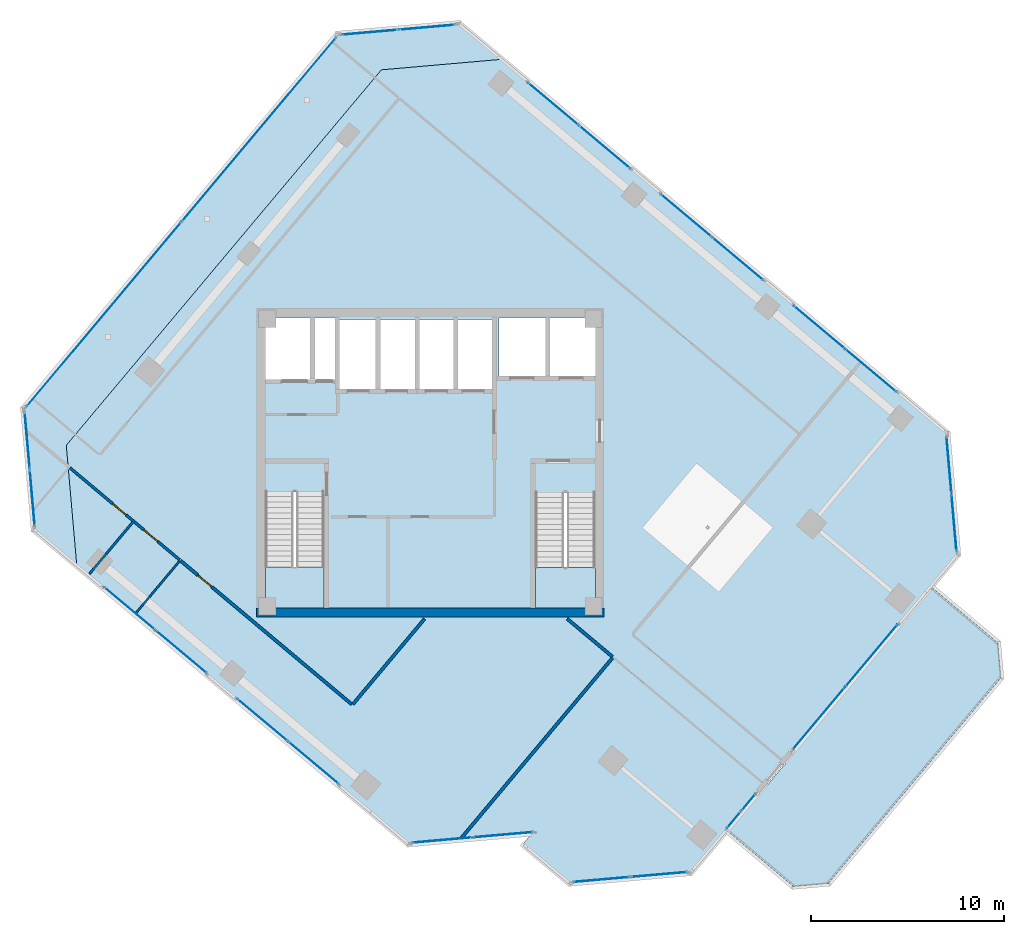
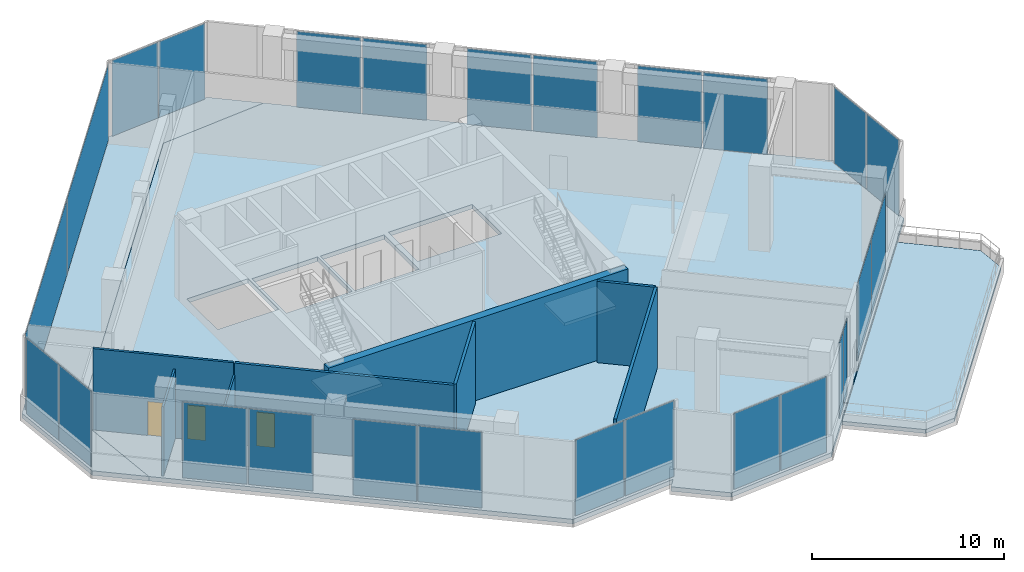
# One storey, part 11 of 17: 26 plates, 8 walls, 5 slabs, 3 doors, 3 openings, 15 elements without a shape of their own.
"""IFC4 building model written with IfcOpenShell, lengths in metres."""

from ifc_helpers import new_model, si_unit, direction, frame, frame_2d, origin, origin_2d, place, context, subcontext, project, spatial, polyline, rectangle, outline, extrude, source, transform, mapped, material, layer, layer_set, type_object, element, fill, aggregate, save


model = new_model("IFC4")

# Units and contexts
model_context = context("Model", 3, precision=1e-05, world=origin(), true_north=direction((0.0, 1.0)))
body_context = subcontext(model_context, "Body", "Model", "MODEL_VIEW")
ifc_project = project(units=[si_unit("LENGTHUNIT", "METRE"), si_unit("AREAUNIT", "SQUARE_METRE"), si_unit("VOLUMEUNIT", "CUBIC_METRE"), si_unit("PLANEANGLEUNIT", "RADIAN"), si_unit("MASSUNIT", "GRAM", prefix="KILO")], contexts=[model_context])

# Site, building, storey
site_placement = place(None, origin())
site = spatial("IfcSite", under=ifc_project, at=site_placement, CompositionType="ELEMENT")
building_placement = place(site_placement, origin())
building = spatial("IfcBuilding", under=site, at=building_placement, Name="Torre Montelarca", CompositionType="ELEMENT")
storey_placement = place(building_placement, frame((0.0, 0.0, 215.199951171875)))
storey = spatial("IfcBuildingStorey", under=building, at=storey_placement, Name="L48", CompositionType="ELEMENT", Elevation=215.199951171875)

# Slabs
ifc_material_1 = material(Name="Concrete C40/50", Category="concrete")
ifc_layer_1 = layer(ifc_material_1, 0.280029296875, Name="Concrete C40/50", Category="concrete")
ifc_layer_set_1 = layer_set([ifc_layer_1], Name="Concrete C40/50")
slab_type_1 = type_object("IfcSlabType", Name="SL-FLR-280", PredefinedType="FLOOR", material=ifc_layer_set_1)
slab_1_placement = place(storey_placement, frame((0.0, 0.0, -0.280029296875)))
element("IfcSlab", 1, at=slab_1_placement, inside=storey, type_object=slab_type_1, Name="L48 Structural Floor Slab", PredefinedType="FLOOR", context=body_context, shape_type="SweptSolid", body=[
    extrude(outline(polyline([(16.848876953125, 12.144287109375), (23.188720703125, 12.698974609375), (22.73876953125, 12.162841796875), (25.18994140625, 10.105712890625), (31.52978515625, 10.660400390625), (45.4140625, 27.20703125), (44.859375, 33.546875), (21.801513671875, 52.894775390625), (15.461669921875, 52.340087890625), (-0.865234375, 32.882568359375), (-0.310546875, 26.542724609375), (16.848876953125, 12.144287109375)]), holes=[polyline([(26.550048828125, 24.449951171875), (23.43994140625, 24.449951171875), (23.43994140625, 30.429931640625), (26.550048828125, 30.429931640625), (26.550048828125, 24.449951171875)]), polyline([(9.449951171875, 24.449951171875), (9.449951171875, 30.4599609375), (12.5, 30.4599609375), (12.5, 24.449951171875), (9.449951171875, 24.449951171875)]), polyline([(17.25, 35.800048828125), (13.300048828125, 35.800048828125), (13.300048828125, 39.39990234375), (17.25, 39.39990234375), (17.25, 35.800048828125)]), polyline([(21.25, 39.39990234375), (21.25, 35.800048828125), (17.39990234375, 35.800048828125), (17.39990234375, 39.39990234375), (21.25, 39.39990234375)]), polyline([(13.1201171875, 36.300048828125), (9.449951171875, 36.300048828125), (9.449951171875, 39.5), (13.1201171875, 39.5), (13.1201171875, 36.300048828125)]), polyline([(26.60009765625, 36.449951171875), (21.550048828125, 36.449951171875), (21.550048828125, 39.5), (26.60009765625, 39.5), (26.60009765625, 36.449951171875)])]), origin(), (0.0, 0.0, 1.0), 0.280029296875),
])
slab_2_placement = place(storey_placement, frame((0.0, 0.0, -0.280029296875)))
element("IfcSlab", 2, at=slab_2_placement, inside=storey, type_object=slab_type_1, Name="L48 Sliding Tray Winter Garden Floor Slab W1", PredefinedType="FLOOR", context=body_context, shape_type="SweptSolid", body=[
    extrude(outline(polyline([(-0.310546875, 26.542724609375), (-0.865234375, 32.882568359375), (15.461669921875, 52.340087890625), (21.801513671875, 52.894775390625), (19.503173828125, 54.822998046875), (13.16357421875, 54.268310546875), (-3.163330078125, 34.810791015625), (-2.608642578125, 28.47119140625), (-0.310546875, 26.542724609375)])), origin(), (0.0, 0.0, 1.0), 0.280029296875),
])

# Stair, slab
stair_type_1 = type_object("IfcStairType", Name="ST-CORE-ST1", PredefinedType="HALF_TURN_STAIR", material=ifc_material_1)
stair_1_placement = place(storey_placement, origin())
stair_1 = element("IfcStair", 3, at=stair_1_placement, inside=storey, type_object=stair_type_1, Name="L48 Protected Exit Stair ST1", PredefinedType="HALF_TURN_STAIR")
ifc_layer_2 = layer(ifc_material_1, 0.199951171875, Name="Concrete C40/50", Category="concrete")
ifc_layer_set_2 = layer_set([ifc_layer_2], Name="Concrete C40/50")
slab_type_2 = type_object("IfcSlabType", Name="SL-ST-LAND-ST1", PredefinedType="LANDING", material=ifc_layer_set_2)
slab_3_placement = place(storey_placement, frame((0.0, 0.0, 2.5)))
slab_3 = element("IfcSlab", 4, at=slab_3_placement, type_object=slab_type_2, Name="ST1 landing 1", PredefinedType="LANDING", context=body_context, shape_type="SweptSolid", body=[
    extrude(outline(polyline([(9.449951171875, 26.580078125), (9.449951171875, 24.449951171875), (12.5, 24.449951171875), (12.5, 26.580078125), (9.449951171875, 26.580078125)])), origin(), (0.0, 0.0, 1.0), 0.199951171875),
])
aggregate(stair_1, [slab_3])

stair_type_2 = type_object("IfcStairType", Name="ST-CORE-ST2", PredefinedType="HALF_TURN_STAIR", material=ifc_material_1)
stair_2_placement = place(storey_placement, origin())
stair_2 = element("IfcStair", 5, at=stair_2_placement, inside=storey, type_object=stair_type_2, Name="L48 Protected Exit Stair ST2", PredefinedType="HALF_TURN_STAIR")
ifc_layer_3 = layer(ifc_material_1, 0.199951171875, Name="Concrete C40/50", Category="concrete")
ifc_layer_set_3 = layer_set([ifc_layer_3], Name="Concrete C40/50")
slab_type_3 = type_object("IfcSlabType", Name="SL-ST-LAND-ST2", PredefinedType="LANDING", material=ifc_layer_set_3)
slab_4_placement = place(storey_placement, frame((0.0, 0.0, 2.5)))
slab_4 = element("IfcSlab", 6, at=slab_4_placement, type_object=slab_type_3, Name="ST2 landing 1", PredefinedType="LANDING", context=body_context, shape_type="SweptSolid", body=[
    extrude(outline(polyline([(23.43994140625, 26.550048828125), (23.43994140625, 24.449951171875), (26.550048828125, 24.449951171875), (26.550048828125, 26.550048828125), (23.43994140625, 26.550048828125)])), origin(), (0.0, 0.0, 1.0), 0.199951171875),
])
aggregate(stair_2, [slab_4])

# Slab
ifc_material_2 = material(Name="Architectural concrete C40/50", Category="concrete")
ifc_layer_4 = layer(ifc_material_2, 0.239990234375, Name="Architectural concrete C40/50", Category="concrete")
ifc_layer_set_4 = layer_set([ifc_layer_4], Name="Architectural concrete C40/50")
slab_type_4 = type_object("IfcSlabType", Name="SL-TER-250", PredefinedType="FLOOR", material=ifc_layer_set_4)
slab_5_placement = place(storey_placement, frame((0.0, 0.0, -0.239990234375)))
element("IfcSlab", 7, at=slab_5_placement, inside=storey, type_object=slab_type_4, Name="L48 Outdoor Setback Sky Terrace 01", PredefinedType="FLOOR", context=body_context, shape_type="SweptSolid", body=[
    extrude(outline(polyline([(33.424560546875, 12.856201171875), (36.802734375, 10.021484375), (38.63427734375, 10.181884765625), (47.569091796875, 20.829833984375), (47.40869140625, 22.661376953125), (44.030517578125, 25.49609375), (33.424560546875, 12.856201171875)])), origin(), (0.0, 0.0, 1.0), 0.239990234375),
])

# Curtain wall, plates
ifc_material_3 = material(Name="Insulated low-E laminated glass", Category="glass")
curtain_wall_type = type_object("IfcCurtainWallType", Name="CW-SYS-Z3", PredefinedType="USERDEFINED", material=ifc_material_3)
curtain_wall_1_placement = place(storey_placement, origin())
curtain_wall_1 = element("IfcCurtainWall", 8, at=curtain_wall_1_placement, inside=storey, type_object=curtain_wall_type, Name="L48 Curtain Wall Run CW-T3-L48-E01-B1", ObjectType="UNITISED GLAZING", PredefinedType="USERDEFINED")
ifc_layer_5 = layer(ifc_material_3, 0.031982421875, Name="Insulated low-E laminated glass", Category="glass")
ifc_layer_set_5 = layer_set([ifc_layer_5], Name="Insulated low-E laminated glass")
plate_type = type_object("IfcPlateType", Name="CWP-GLZ-32", PredefinedType="CURTAIN_PANEL", material=ifc_layer_set_5)
shared_shape_1 = source(origin(), body_context, "Body", "SweptSolid", [
    extrude(rectangle(XDim=3.407470703125, YDim=0.031982421875, at=origin_2d()), origin(), (0.0, 0.0, 1.0), 4.81005859375),
])
plate_1_placement = place(storey_placement, frame((2.422607421875, 24.419189453125, 0.054931640625), z_axis=(0.0, 0.0, 1.0), x_axis=(0.766043072274, -0.642789243392, 0.0)))
plate_1 = element("IfcPlate", 9, at=plate_1_placement, type_object=plate_type, Name="CW panel 1.1", PredefinedType="CURTAIN_PANEL", context=body_context, shape_type="MappedRepresentation", body=[
    mapped(shared_shape_1, transform((0.0, 0.0, 0.0), scale=1.0)),
])
plate_2_placement = place(storey_placement, frame((5.09033203125, 22.1806640625, 0.054931640625), z_axis=(0.0, 0.0, 1.0), x_axis=(0.766043072274, -0.642789243392, 0.0)))
plate_2 = element("IfcPlate", 10, at=plate_2_placement, type_object=plate_type, Name="CW panel 2.1", PredefinedType="CURTAIN_PANEL", context=body_context, shape_type="MappedRepresentation", body=[
    mapped(shared_shape_1, transform((0.0, 0.0, 0.0), scale=1.0)),
])
aggregate(curtain_wall_1, [plate_1, plate_2])

curtain_wall_2_placement = place(storey_placement, origin())
curtain_wall_2 = element("IfcCurtainWall", 11, at=curtain_wall_2_placement, inside=storey, type_object=curtain_wall_type, Name="L48 Curtain Wall Run CW-T3-L48-E08-B1", ObjectType="UNITISED GLAZING", PredefinedType="USERDEFINED")
plate_3_placement = place(storey_placement, frame((40.823974609375, 36.76318359375, 0.054931640625), z_axis=(0.0, 0.0, 1.0), x_axis=(-0.766043072274, 0.642789243392, 0.0)))
plate_3 = element("IfcPlate", 12, at=plate_3_placement, type_object=plate_type, Name="CW panel 1.1", PredefinedType="CURTAIN_PANEL", context=body_context, shape_type="MappedRepresentation", body=[
    mapped(shared_shape_1, transform((0.0, 0.0, 0.0), scale=1.0)),
])
plate_4_placement = place(storey_placement, frame((38.15625, 39.001708984375, 0.054931640625), z_axis=(0.0, 0.0, 1.0), x_axis=(-0.766043072274, 0.642789243392, 0.0)))
plate_4 = element("IfcPlate", 13, at=plate_4_placement, type_object=plate_type, Name="CW panel 2.1", PredefinedType="CURTAIN_PANEL", context=body_context, shape_type="MappedRepresentation", body=[
    mapped(shared_shape_1, transform((0.0, 0.0, 0.0), scale=1.0)),
])
aggregate(curtain_wall_2, [plate_3, plate_4])

curtain_wall_3_placement = place(storey_placement, origin())
curtain_wall_3 = element("IfcCurtainWall", 14, at=curtain_wall_3_placement, inside=storey, type_object=curtain_wall_type, Name="L48 Curtain Wall Run CW-T3-L48-E08-B2", ObjectType="UNITISED GLAZING", PredefinedType="USERDEFINED")
plate_5_placement = place(storey_placement, frame((33.929443359375, 42.54833984375, 0.054931640625), z_axis=(0.0, 0.0, 1.0), x_axis=(-0.766043072274, 0.642789243392, 0.0)))
plate_5 = element("IfcPlate", 15, at=plate_5_placement, type_object=plate_type, Name="CW panel 1.1", PredefinedType="CURTAIN_PANEL", context=body_context, shape_type="MappedRepresentation", body=[
    mapped(shared_shape_1, transform((0.0, 0.0, 0.0), scale=1.0)),
])
plate_6_placement = place(storey_placement, frame((31.26171875, 44.786865234375, 0.054931640625), z_axis=(0.0, 0.0, 1.0), x_axis=(-0.766043072274, 0.642789243392, 0.0)))
plate_6 = element("IfcPlate", 16, at=plate_6_placement, type_object=plate_type, Name="CW panel 2.1", PredefinedType="CURTAIN_PANEL", context=body_context, shape_type="MappedRepresentation", body=[
    mapped(shared_shape_1, transform((0.0, 0.0, 0.0), scale=1.0)),
])
aggregate(curtain_wall_3, [plate_5, plate_6])

curtain_wall_4_placement = place(storey_placement, origin())
curtain_wall_4 = element("IfcCurtainWall", 17, at=curtain_wall_4_placement, inside=storey, type_object=curtain_wall_type, Name="L48 Curtain Wall Run CW-T3-L48-E08-B3", ObjectType="UNITISED GLAZING", PredefinedType="USERDEFINED")
plate_7_placement = place(storey_placement, frame((27.03515625, 48.333251953125, 0.054931640625), z_axis=(0.0, 0.0, 1.0), x_axis=(-0.766043072274, 0.642789243392, 0.0)))
plate_7 = element("IfcPlate", 18, at=plate_7_placement, type_object=plate_type, Name="CW panel 1.1", PredefinedType="CURTAIN_PANEL", context=body_context, shape_type="MappedRepresentation", body=[
    mapped(shared_shape_1, transform((0.0, 0.0, 0.0), scale=1.0)),
])
plate_8_placement = place(storey_placement, frame((24.367431640625, 50.57177734375, 0.054931640625), z_axis=(0.0, 0.0, 1.0), x_axis=(-0.766043072274, 0.642789243392, 0.0)))
plate_8 = element("IfcPlate", 19, at=plate_8_placement, type_object=plate_type, Name="CW panel 2.1", PredefinedType="CURTAIN_PANEL", context=body_context, shape_type="MappedRepresentation", body=[
    mapped(shared_shape_1, transform((0.0, 0.0, 0.0), scale=1.0)),
])
aggregate(curtain_wall_4, [plate_7, plate_8])

curtain_wall_5_placement = place(storey_placement, origin())
curtain_wall_5 = element("IfcCurtainWall", 20, at=curtain_wall_5_placement, inside=storey, type_object=curtain_wall_type, Name="L48 Curtain Wall Run CW-T3-L48-E01-B2", ObjectType="UNITISED GLAZING", PredefinedType="USERDEFINED")
shared_shape_2 = source(origin(), body_context, "Body", "SweptSolid", [
    extrude(rectangle(XDim=3.3701171875, YDim=0.031982421875, at=origin_2d()), origin(), (0.0, 0.0, 1.0), 4.81005859375),
])
plate_9_placement = place(storey_placement, frame((9.302734375, 18.64599609375, 0.054931640625), z_axis=(0.0, 0.0, 1.0), x_axis=(0.766045580072, -0.642786254716, 0.0)))
plate_9 = element("IfcPlate", 21, at=plate_9_placement, type_object=plate_type, Name="CW panel 1.1", PredefinedType="CURTAIN_PANEL", context=body_context, shape_type="MappedRepresentation", body=[
    mapped(shared_shape_2, transform((0.0, 0.0, 0.0), scale=1.0)),
])
plate_10_placement = place(storey_placement, frame((11.941650390625, 16.431640625, 0.054931640625), z_axis=(0.0, 0.0, 1.0), x_axis=(0.766045580072, -0.642786254716, 0.0)))
plate_10 = element("IfcPlate", 22, at=plate_10_placement, type_object=plate_type, Name="CW panel 2.1", PredefinedType="CURTAIN_PANEL", context=body_context, shape_type="MappedRepresentation", body=[
    mapped(shared_shape_2, transform((0.0, 0.0, 0.0), scale=1.0)),
])
aggregate(curtain_wall_5, [plate_9, plate_10])

curtain_wall_6_placement = place(storey_placement, origin())
curtain_wall_6 = element("IfcCurtainWall", 23, at=curtain_wall_6_placement, inside=storey, type_object=curtain_wall_type, Name="L48 Curtain Wall Run CW-T3-L48-E02-B1", ObjectType="UNITISED GLAZING", PredefinedType="USERDEFINED")
shared_shape_3 = source(origin(), body_context, "Body", "SweptSolid", [
    extrude(rectangle(XDim=3.08740234375, YDim=0.031982421875, at=origin_2d()), origin(), (0.0, 0.0, 1.0), 4.81005859375),
])
plate_11_placement = place(storey_placement, frame((18.615234375, 12.429443359375, 0.054931640625), z_axis=(0.0, 0.0, 1.0), x_axis=(0.996191766808, 0.087189240987, 0.0)))
plate_11 = element("IfcPlate", 24, at=plate_11_placement, type_object=plate_type, Name="CW panel 1.1", PredefinedType="CURTAIN_PANEL", context=body_context, shape_type="MappedRepresentation", body=[
    mapped(shared_shape_3, transform((0.0, 0.0, 0.0), scale=1.0)),
])
plate_12_placement = place(storey_placement, frame((21.765625, 12.705078125, 0.054931640625), z_axis=(0.0, 0.0, 1.0), x_axis=(0.996191766808, 0.087189240987, 0.0)))
plate_12 = element("IfcPlate", 25, at=plate_12_placement, type_object=plate_type, Name="CW panel 2.1", PredefinedType="CURTAIN_PANEL", context=body_context, shape_type="MappedRepresentation", body=[
    mapped(shared_shape_3, transform((0.0, 0.0, 0.0), scale=1.0)),
])
aggregate(curtain_wall_6, [plate_11, plate_12])

curtain_wall_7_placement = place(storey_placement, origin())
curtain_wall_7 = element("IfcCurtainWall", 26, at=curtain_wall_7_placement, inside=storey, type_object=curtain_wall_type, Name="L48 Curtain Wall Run CW-T3-L48-E05-B1", ObjectType="UNITISED GLAZING", PredefinedType="USERDEFINED")
shared_shape_4 = source(origin(), body_context, "Body", "SweptSolid", [
    extrude(rectangle(XDim=2.903564453125, YDim=0.031982421875, at=origin_2d()), origin(), (0.0, 0.0, 1.0), 4.81005859375),
])
plate_13_placement = place(storey_placement, frame((26.864990234375, 10.3828125, 0.054931640625), z_axis=(0.0, 0.0, 1.0), x_axis=(0.996192475817, 0.087181139731, 0.0)))
plate_13 = element("IfcPlate", 27, at=plate_13_placement, type_object=plate_type, Name="CW panel 1.1", PredefinedType="CURTAIN_PANEL", context=body_context, shape_type="MappedRepresentation", body=[
    mapped(shared_shape_4, transform((0.0, 0.0, 0.0), scale=1.0)),
])
plate_14_placement = place(storey_placement, frame((29.832275390625, 10.642578125, 0.054931640625), z_axis=(0.0, 0.0, 1.0), x_axis=(0.996192475817, 0.087181139731, 0.0)))
plate_14 = element("IfcPlate", 28, at=plate_14_placement, type_object=plate_type, Name="CW panel 2.1", PredefinedType="CURTAIN_PANEL", context=body_context, shape_type="MappedRepresentation", body=[
    mapped(shared_shape_4, transform((0.0, 0.0, 0.0), scale=1.0)),
])
aggregate(curtain_wall_7, [plate_13, plate_14])

curtain_wall_8_placement = place(storey_placement, origin())
curtain_wall_8 = element("IfcCurtainWall", 29, at=curtain_wall_8_placement, inside=storey, type_object=curtain_wall_type, Name="L48 Curtain Wall Run CW-T3-L48-E07-B1", ObjectType="UNITISED GLAZING", PredefinedType="USERDEFINED")
plate_15_placement = place(storey_placement, frame((45.136962890625, 28.882080078125, 0.054931640625), z_axis=(0.0, 0.0, 1.0), x_axis=(-0.087182579501, 0.996192349816, 0.0)))
plate_15 = element("IfcPlate", 30, at=plate_15_placement, type_object=plate_type, Name="CW panel 1.1", PredefinedType="CURTAIN_PANEL", context=body_context, shape_type="MappedRepresentation", body=[
    mapped(shared_shape_4, transform((0.0, 0.0, 0.0), scale=1.0)),
])
plate_16_placement = place(storey_placement, frame((44.877197265625, 31.84912109375, 0.054931640625), z_axis=(0.0, 0.0, 1.0), x_axis=(-0.087182579501, 0.996192349816, 0.0)))
plate_16 = element("IfcPlate", 31, at=plate_16_placement, type_object=plate_type, Name="CW panel 2.1", PredefinedType="CURTAIN_PANEL", context=body_context, shape_type="MappedRepresentation", body=[
    mapped(shared_shape_4, transform((0.0, 0.0, 0.0), scale=1.0)),
])
aggregate(curtain_wall_8, [plate_15, plate_16])

curtain_wall_9_placement = place(storey_placement, origin())
curtain_wall_9 = element("IfcCurtainWall", 32, at=curtain_wall_9_placement, inside=storey, type_object=curtain_wall_type, Name="L48 Curtain Wall Run CW-T3-L48-E09-B1", ObjectType="UNITISED GLAZING", PredefinedType="USERDEFINED")
plate_17_placement = place(storey_placement, frame((17.828369140625, 54.546142578125, 0.054931640625), z_axis=(0.0, 0.0, 1.0), x_axis=(-0.996192349816, -0.087182579501, 0.0)))
plate_17 = element("IfcPlate", 33, at=plate_17_placement, type_object=plate_type, Name="CW panel 1.1", PredefinedType="CURTAIN_PANEL", context=body_context, shape_type="MappedRepresentation", body=[
    mapped(shared_shape_4, transform((0.0, 0.0, 0.0), scale=1.0)),
])
plate_18_placement = place(storey_placement, frame((14.861083984375, 54.286376953125, 0.054931640625), z_axis=(0.0, 0.0, 1.0), x_axis=(-0.996192349816, -0.087182579501, 0.0)))
plate_18 = element("IfcPlate", 34, at=plate_18_placement, type_object=plate_type, Name="CW panel 2.1", PredefinedType="CURTAIN_PANEL", context=body_context, shape_type="MappedRepresentation", body=[
    mapped(shared_shape_4, transform((0.0, 0.0, 0.0), scale=1.0)),
])
aggregate(curtain_wall_9, [plate_17, plate_18])

curtain_wall_10_placement = place(storey_placement, origin())
curtain_wall_10 = element("IfcCurtainWall", 35, at=curtain_wall_10_placement, inside=storey, type_object=curtain_wall_type, Name="L48 Curtain Wall Run CW-T3-L48-E11-B1", ObjectType="UNITISED GLAZING", PredefinedType="USERDEFINED")
plate_19_placement = place(storey_placement, frame((-2.88623046875, 33.135986328125, 0.054931640625), z_axis=(0.0, 0.0, 1.0), x_axis=(0.087166127681, -0.996193789473, 0.0)))
plate_19 = element("IfcPlate", 36, at=plate_19_placement, type_object=plate_type, Name="CW panel 1.1", PredefinedType="CURTAIN_PANEL", context=body_context, shape_type="MappedRepresentation", body=[
    mapped(shared_shape_4, transform((0.0, 0.0, 0.0), scale=1.0)),
])
plate_20_placement = place(storey_placement, frame((-2.626708984375, 30.168701171875, 0.054931640625), z_axis=(0.0, 0.0, 1.0), x_axis=(0.087166127681, -0.996193789473, 0.0)))
plate_20 = element("IfcPlate", 37, at=plate_20_placement, type_object=plate_type, Name="CW panel 2.1", PredefinedType="CURTAIN_PANEL", context=body_context, shape_type="MappedRepresentation", body=[
    mapped(shared_shape_4, transform((0.0, 0.0, 0.0), scale=1.0)),
])
aggregate(curtain_wall_10, [plate_19, plate_20])

curtain_wall_11_placement = place(storey_placement, origin())
curtain_wall_11 = element("IfcCurtainWall", 38, at=curtain_wall_11_placement, inside=storey, type_object=curtain_wall_type, Name="L48 Curtain Wall Run CW-T3-L48-E06-B1", ObjectType="UNITISED GLAZING", PredefinedType="USERDEFINED")
shared_shape_5 = source(origin(), body_context, "Body", "SweptSolid", [
    extrude(rectangle(XDim=1.10302734375, YDim=0.031982421875, at=origin_2d()), origin(), (0.0, 0.0, 1.0), 4.81005859375),
])
plate_21_placement = place(storey_placement, frame((33.732177734375, 13.487548828125, 0.054931640625), z_axis=(0.0, 0.0, 1.0), x_axis=(0.642770389435, 0.766058892296, 0.0)))
plate_21 = element("IfcPlate", 39, at=plate_21_placement, type_object=plate_type, Name="CW panel 1.1", PredefinedType="CURTAIN_PANEL", context=body_context, shape_type="MappedRepresentation", body=[
    mapped(shared_shape_5, transform((0.0, 0.0, 0.0), scale=1.0)),
])
plate_22_placement = place(storey_placement, frame((34.489501953125, 14.389892578125, 0.054931640625), z_axis=(0.0, 0.0, 1.0), x_axis=(0.642770389435, 0.766058892296, 0.0)))
plate_22 = element("IfcPlate", 40, at=plate_22_placement, type_object=plate_type, Name="CW panel 2.1", PredefinedType="CURTAIN_PANEL", context=body_context, shape_type="MappedRepresentation", body=[
    mapped(shared_shape_5, transform((0.0, 0.0, 0.0), scale=1.0)),
])
aggregate(curtain_wall_11, [plate_21, plate_22])

curtain_wall_12_placement = place(storey_placement, origin())
curtain_wall_12 = element("IfcCurtainWall", 41, at=curtain_wall_12_placement, inside=storey, type_object=curtain_wall_type, Name="L48 Curtain Wall Run CW-T3-L48-E06-B2", ObjectType="UNITISED GLAZING", PredefinedType="USERDEFINED")
shared_shape_6 = source(origin(), body_context, "Body", "SweptSolid", [
    extrude(rectangle(XDim=4.18701171875, YDim=0.031982421875, at=origin_2d()), origin(), (0.0, 0.0, 1.0), 4.81005859375),
])
plate_23_placement = place(storey_placement, frame((38.12451171875, 18.721923828125, 0.054931640625), z_axis=(0.0, 0.0, 1.0), x_axis=(0.642781815231, 0.766049305207, 0.0)))
plate_23 = element("IfcPlate", 42, at=plate_23_placement, type_object=plate_type, Name="CW panel 1.1", PredefinedType="CURTAIN_PANEL", context=body_context, shape_type="MappedRepresentation", body=[
    mapped(shared_shape_6, transform((0.0, 0.0, 0.0), scale=1.0)),
])
plate_24_placement = place(storey_placement, frame((40.864013671875, 21.98681640625, 0.054931640625), z_axis=(0.0, 0.0, 1.0), x_axis=(0.642781815231, 0.766049305207, 0.0)))
plate_24 = element("IfcPlate", 43, at=plate_24_placement, type_object=plate_type, Name="CW panel 2.1", PredefinedType="CURTAIN_PANEL", context=body_context, shape_type="MappedRepresentation", body=[
    mapped(shared_shape_6, transform((0.0, 0.0, 0.0), scale=1.0)),
])
aggregate(curtain_wall_12, [plate_23, plate_24])

curtain_wall_13_placement = place(storey_placement, origin())
curtain_wall_13 = element("IfcCurtainWall", 44, at=curtain_wall_13_placement, inside=storey, type_object=curtain_wall_type, Name="L48 Curtain Wall Run CW-T3-L48-E10-B1", ObjectType="UNITISED GLAZING", PredefinedType="USERDEFINED")
shared_shape_7 = source(origin(), body_context, "Body", "SweptSolid", [
    extrude(rectangle(XDim=12.421630859375, YDim=0.031982421875, at=origin_2d()), origin(), (0.0, 0.0, 1.0), 4.81005859375),
])
plate_25_placement = place(storey_placement, frame((9.115966796875, 49.24267578125, 0.054931640625), z_axis=(0.0, 0.0, 1.0), x_axis=(-0.642788408931, -0.766043772472, 0.0)))
plate_25 = element("IfcPlate", 45, at=plate_25_placement, type_object=plate_type, Name="CW panel 1.1", PredefinedType="CURTAIN_PANEL", context=body_context, shape_type="MappedRepresentation", body=[
    mapped(shared_shape_7, transform((0.0, 0.0, 0.0), scale=1.0)),
])
plate_26_placement = place(storey_placement, frame((1.083251953125, 39.669677734375, 0.054931640625), z_axis=(0.0, 0.0, 1.0), x_axis=(-0.642788408931, -0.766043772472, 0.0)))
plate_26 = element("IfcPlate", 46, at=plate_26_placement, type_object=plate_type, Name="CW panel 2.1", PredefinedType="CURTAIN_PANEL", context=body_context, shape_type="MappedRepresentation", body=[
    mapped(shared_shape_7, transform((0.0, 0.0, 0.0), scale=1.0)),
])
aggregate(curtain_wall_13, [plate_25, plate_26])

# Wall
ifc_material_4 = material(Name="Concrete C55/67", Category="concrete")
ifc_layer_6 = layer(ifc_material_4, 0.449951171875, Name="Concrete C55/67", Category="concrete")
ifc_layer_set_6 = layer_set([ifc_layer_6], Name="Concrete C55/67")
wall_type_1 = type_object("IfcWallType", Name="CW-SHEAR-450", PredefinedType="SHEAR", material=ifc_layer_set_6)
wall_1_placement = place(storey_placement, frame((9.0, 24.22509765625, 0.0), z_axis=(0.0, 0.0, 1.0), x_axis=(1.0, 0.0, 0.0)))
element("IfcWall", 47, at=wall_1_placement, inside=storey, type_object=wall_type_1, Name="L48 Core Shear Wall CW-S1", PredefinedType="SHEAR", context=body_context, shape_type="SweptSolid", body=[
    extrude(rectangle(XDim=18.0, YDim=0.449951171875, at=frame_2d((9.0, 0.0))), origin(), (0.0, 0.0, 1.0), 5.16015625),
])

# Wall, opening, door
ifc_material_5 = material(Name="Gypsum plasterboard on steel stud", Category="steel")
ifc_layer_7 = layer(ifc_material_5, 0.159912109375, Name="Gypsum plasterboard on steel stud", Category="steel")
ifc_layer_set_7 = layer_set([ifc_layer_7], Name="Gypsum plasterboard on steel stud")
wall_type_2 = type_object("IfcWallType", Name="PW-FIRE-160", PredefinedType="PARTITIONING", material=ifc_layer_set_7)
wall_2_placement = place(storey_placement, frame((5.06689453125, 26.899658203125, 0.0), z_axis=(0.0, 0.0, 1.0), x_axis=(0.766051435801, -0.64277927604, 0.0)))
wall_2 = element("IfcWall", 48, at=wall_2_placement, inside=storey, type_object=wall_type_2, Name="L48 Interior Partition W-L48-SOCCN", PredefinedType="PARTITIONING", context=body_context, shape_type="SweptSolid", body=[
    extrude(rectangle(XDim=11.570068359375, YDim=0.159912109375, at=frame_2d((5.78515625, 0.0))), origin(), (0.0, 0.0, 1.0), 5.16015625),
])
opening_1_placement = place(wall_2_placement, frame((1.14990234375, 0.0, 0.0)))
opening_1 = element("IfcOpeningElement", 49, at=opening_1_placement, cuts=wall_2, Name="Opening FD-095", PredefinedType="OPENING", context=body_context, shape_type="SweptSolid", body=[
    extrude(rectangle(XDim=0.949951171875, YDim=2.14990234375, at=frame_2d((0.47509765625, 1.074951171875))), frame((0.0, 0.08984375, 0.0), z_axis=(0.0, -1.0, 0.0), x_axis=(1.0, 0.0, 0.0)), (0.0, 0.0, 1.0), 0.179931640625),
])
ifc_material_6 = material(Name="Timber fire-rated room door", Category="wood")
door_type_1 = type_object("IfcDoorType", Name="DR-FIRE-095", OperationType="NOTDEFINED", PredefinedType="DOOR", material=ifc_material_6)
shared_shape_8 = source(origin(), body_context, "Body", "SweptSolid", [
    extrude(rectangle(XDim=0.949951171875, YDim=2.14990234375, at=frame_2d((0.47509765625, 1.074951171875))), frame((0.0, 0.02490234375, 0.0), z_axis=(0.0, -1.0, 0.0), x_axis=(1.0, 0.0, 0.0)), (0.0, 0.0, 1.0), 0.050048828125),
])
door_1_placement = place(opening_1_placement, origin())
door_1 = element("IfcDoor", 50, at=door_1_placement, inside=storey, type_object=door_type_1, Name="L48 Interior Door 06", OperationType="SINGLE_SWING_RIGHT", OverallHeight=2.14990234375, OverallWidth=0.949951171875, PredefinedType="DOOR", context=body_context, shape_type="MappedRepresentation", body=[
    mapped(shared_shape_8, transform((0.0, 0.0, 0.0), scale=1.0)),
])
fill(opening_1, door_1)

# Walls
wall_3_placement = place(storey_placement, frame((13.986572265625, 19.467529296875, 0.0), z_axis=(0.0, 0.0, 1.0), x_axis=(0.642768435417, 0.766060531833, 0.0)))
element("IfcWall", 51, at=wall_3_placement, inside=storey, type_object=wall_type_2, Name="L48 Interior Partition W-L48-SOCCW3", PredefinedType="PARTITIONING", context=body_context, shape_type="SweptSolid", body=[
    extrude(rectangle(XDim=5.772216796875, YDim=0.159912109375, at=frame_2d((2.88623046875, 0.0))), origin(), (0.0, 0.0, 1.0), 5.16015625),
])
wall_4_placement = place(storey_placement, frame((25.092529296875, 23.894287109375, 0.0), z_axis=(0.0, 0.0, 1.0), x_axis=(0.76609008417, -0.642733212878, 0.0)))
element("IfcWall", 52, at=wall_4_placement, inside=storey, type_object=wall_type_2, Name="L48 Interior Partition W-L48-SOCCN3", PredefinedType="PARTITIONING", context=body_context, shape_type="SweptSolid", body=[
    extrude(rectangle(XDim=3.057861328125, YDim=0.159912109375, at=frame_2d((1.52880859375, 0.0))), origin(), (0.0, 0.0, 1.0), 5.16015625),
])
wall_5_placement = place(storey_placement, frame((19.622314453125, 12.555908203125, 0.0), z_axis=(0.0, 0.0, 1.0), x_axis=(0.642789011194, 0.766043267112, 0.0)))
element("IfcWall", 53, at=wall_5_placement, inside=storey, type_object=wall_type_2, Name="L48 Interior Partition W-L48-ECS", PredefinedType="PARTITIONING", context=body_context, shape_type="SweptSolid", body=[
    extrude(rectangle(XDim=12.162109375, YDim=0.159912109375, at=frame_2d((6.0810546875, 0.0))), origin(), (0.0, 0.0, 1.0), 5.16015625),
])
ifc_material_7 = material(Name="Acoustic laminated glass partition", Category="glass")
ifc_layer_8 = layer(ifc_material_7, 0.10009765625, Name="Acoustic laminated glass partition", Category="glass")
ifc_layer_set_8 = layer_set([ifc_layer_8], Name="Acoustic laminated glass partition")
wall_type_3 = type_object("IfcWallType", Name="PW-GLAZ-100", PredefinedType="PARTITIONING", material=ifc_layer_set_8)
wall_6_placement = place(storey_placement, frame((2.75439453125, 24.205810546875, 0.0), z_axis=(0.0, 0.0, 1.0), x_axis=(0.642753187144, 0.766073325744, 0.0)))
element("IfcWall", 54, at=wall_6_placement, inside=storey, type_object=wall_type_3, Name="L48 Interior Partition W-L48-SWCDIV", PredefinedType="PARTITIONING", context=body_context, shape_type="SweptSolid", body=[
    extrude(rectangle(XDim=3.510009765625, YDim=0.10009765625, at=frame_2d((1.7548828125, 0.0))), origin(), (0.0, 0.0, 1.0), 4.39501953125),
])
ifc_layer_9 = layer(ifc_material_5, 0.114990234375, Name="Gypsum plasterboard on steel stud", Category="steel")
ifc_layer_set_9 = layer_set([ifc_layer_9], Name="Gypsum plasterboard on steel stud")
wall_type_4 = type_object("IfcWallType", Name="PW-PART-115", PredefinedType="PARTITIONING", material=ifc_layer_set_9)
wall_7_placement = place(storey_placement, frame((0.34130859375, 26.230712890625, 0.0), z_axis=(0.0, 0.0, 1.0), x_axis=(0.642794003744, 0.766039077822, 0.0)))
element("IfcWall", 55, at=wall_7_placement, inside=storey, type_object=wall_type_4, Name="L48 Interior Partition W-L48-WCD", PredefinedType="PARTITIONING", context=body_context, shape_type="SweptSolid", body=[
    extrude(rectangle(XDim=3.51025390625, YDim=0.114990234375, at=frame_2d((1.755126953125, 0.0))), origin(), (0.0, 0.0, 1.0), 4.39501953125),
])

# Wall, openings, doors
ifc_layer_10 = layer(ifc_material_5, 0.135009765625, Name="Gypsum plasterboard on steel stud", Category="steel")
ifc_layer_set_10 = layer_set([ifc_layer_10], Name="Gypsum plasterboard on steel stud")
wall_type_5 = type_object("IfcWallType", Name="PW-PART-135", PredefinedType="PARTITIONING", material=ifc_layer_set_10)
wall_8_placement = place(storey_placement, frame((-0.678466796875, 31.720703125, 0.0), z_axis=(0.0, 0.0, 1.0), x_axis=(0.766043108328, -0.642789200425, 0.0)))
wall_8 = element("IfcWall", 56, at=wall_8_placement, inside=storey, type_object=wall_type_5, Name="L48 Interior Partition W-L48-WCN", PredefinedType="PARTITIONING", context=body_context, shape_type="SweptSolid", body=[
    extrude(rectangle(XDim=7.420166015625, YDim=0.135009765625, at=frame_2d((3.7099609375, 0.0))), origin(), (0.0, 0.0, 1.0), 5.16015625),
])
opening_2_placement = place(wall_8_placement, frame((2.89990234375, 0.0, 0.0)))
opening_2 = element("IfcOpeningElement", 57, at=opening_2_placement, cuts=wall_8, Name="Opening ID-090", PredefinedType="OPENING", context=body_context, shape_type="SweptSolid", body=[
    extrude(rectangle(XDim=0.89990234375, YDim=2.14990234375, at=frame_2d((0.449951171875, 1.074951171875))), frame((0.0, 0.07763671875, 0.0), z_axis=(0.0, -1.0, 0.0), x_axis=(1.0, 0.0, 0.0)), (0.0, 0.0, 1.0), 0.155029296875),
])
opening_3_placement = place(wall_8_placement, frame((5.0, 0.0, 0.0)))
opening_3 = element("IfcOpeningElement", 58, at=opening_3_placement, cuts=wall_8, Name="Opening ID-095", PredefinedType="OPENING", context=body_context, shape_type="SweptSolid", body=[
    extrude(rectangle(XDim=0.949951171875, YDim=2.14990234375, at=frame_2d((0.47509765625, 1.074951171875))), frame((0.0, 0.07763671875, 0.0), z_axis=(0.0, -1.0, 0.0), x_axis=(1.0, 0.0, 0.0)), (0.0, 0.0, 1.0), 0.155029296875),
])
ifc_material_8 = material(Name="Hardwood acoustic timber veneer", Category="wood")
door_type_2 = type_object("IfcDoorType", Name="DR-INT-090", OperationType="NOTDEFINED", PredefinedType="DOOR", material=ifc_material_8)
shared_shape_9 = source(origin(), body_context, "Body", "SweptSolid", [
    extrude(rectangle(XDim=0.89990234375, YDim=2.14990234375, at=frame_2d((0.449951171875, 1.074951171875))), frame((0.0, 0.02490234375, 0.0), z_axis=(0.0, -1.0, 0.0), x_axis=(1.0, 0.0, 0.0)), (0.0, 0.0, 1.0), 0.050048828125),
])
door_2_placement = place(opening_2_placement, origin())
door_2 = element("IfcDoor", 59, at=door_2_placement, inside=storey, type_object=door_type_2, Name="L48 Interior Door 04", OperationType="SINGLE_SWING_LEFT", OverallHeight=2.14990234375, OverallWidth=0.89990234375, PredefinedType="DOOR", context=body_context, shape_type="MappedRepresentation", body=[
    mapped(shared_shape_9, transform((0.0, 0.0, 0.0), scale=1.0)),
])
fill(opening_2, door_2)
door_type_3 = type_object("IfcDoorType", Name="DR-INT-095", OperationType="NOTDEFINED", PredefinedType="DOOR", material=ifc_material_8)
shared_shape_10 = source(origin(), body_context, "Body", "SweptSolid", [
    extrude(rectangle(XDim=0.949951171875, YDim=2.14990234375, at=frame_2d((0.47509765625, 1.074951171875))), frame((0.0, 0.02490234375, 0.0), z_axis=(0.0, -1.0, 0.0), x_axis=(1.0, 0.0, 0.0)), (0.0, 0.0, 1.0), 0.050048828125),
])
door_3_placement = place(opening_3_placement, origin())
door_3 = element("IfcDoor", 60, at=door_3_placement, inside=storey, type_object=door_type_3, Name="L48 Interior Door 05", OperationType="SINGLE_SWING_RIGHT", OverallHeight=2.14990234375, OverallWidth=0.949951171875, PredefinedType="DOOR", context=body_context, shape_type="MappedRepresentation", body=[
    mapped(shared_shape_10, transform((0.0, 0.0, 0.0), scale=1.0)),
])
fill(opening_3, door_3)

save(model, "model.ifc")
